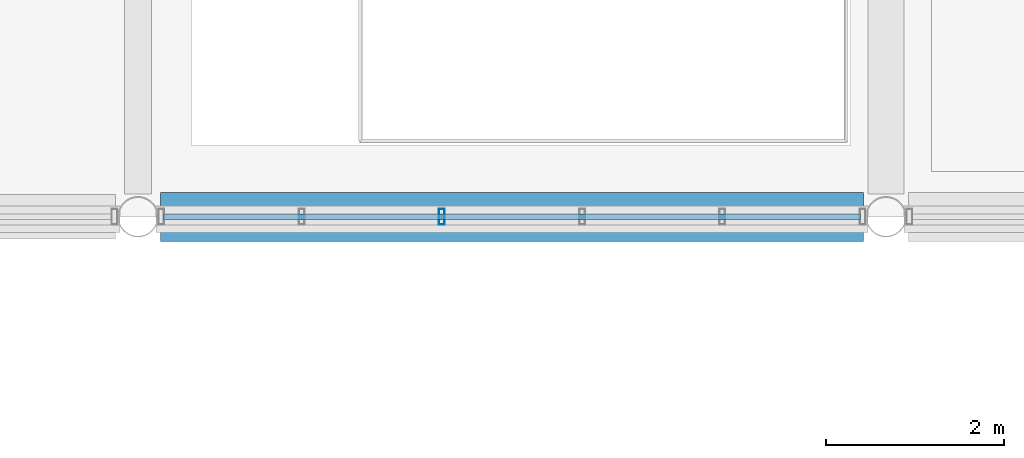
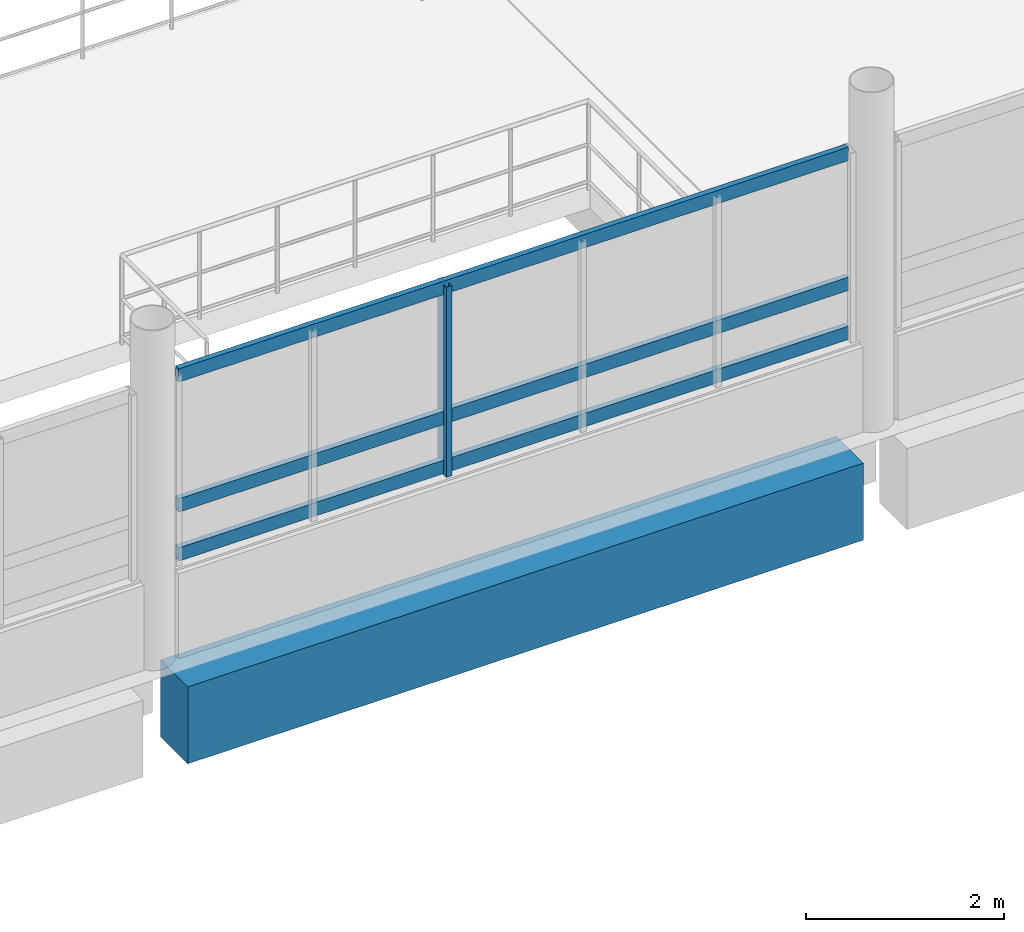
# One storey, part 50 of 101: 4 members, 1 beam, 1 element without a shape of its own.
"""IFC4 building model written with IfcOpenShell, lengths in metres."""

import ifcopenshell
import ifcopenshell.guid

model = None  # the IFC model being written
_history = None  # IfcOwnerHistory: only IFC2X3 demands one
_inside = {}  # id of a spatial element -> (the spatial element, [elements in it])
_under = {}  # id of a project, library or spatial element -> (it, [spatial elements below it])
_declared = {}  # id of a project -> (the project, [libraries it declares])
_typed = {}  # id of a type object -> (the type object, [elements of that type])
_made_of = {}  # id of a material, layer set ... -> (it, [elements and type objects made of it])


def new_model(schema):
    """Start an empty IFC model of exactly this schema.

    Asked for "IFC4X3", IfcOpenShell would pick the latest addendum, in which some entities
    have other attributes; the version numbers below select the first issue.
    IFC2X3 requires an IfcOwnerHistory on every rooted entity: one is made here for all.
    """
    global model, _history
    if schema == "IFC4X3":
        model = ifcopenshell.file(schema_version=(4, 3, 0, 0))
    else:
        model = ifcopenshell.file(schema=schema)
    _inside.clear()
    _under.clear()
    _declared.clear()
    _typed.clear()
    _made_of.clear()
    _history = None
    if model.schema == "IFC2X3":
        org = make("IfcOrganization", Name="unknown")
        user = make(
            "IfcPersonAndOrganization",
            ThePerson=make("IfcPerson", FamilyName="unknown"),
            TheOrganization=org,
        )
        app = make(
            "IfcApplication",
            ApplicationDeveloper=org,
            Version="unknown",
            ApplicationFullName="unknown",
            ApplicationIdentifier="unknown",
        )
        _history = make(
            "IfcOwnerHistory",
            OwningUser=user,
            OwningApplication=app,
            ChangeAction="ADDED",
            CreationDate=0,
        )
    return model


def make(cls, **values):
    """One entity of the class cls with the attributes given. An attribute that is None is left unset."""
    return model.create_entity(
        cls, **{name: value for name, value in values.items() if value is not None}
    )


def rooted(cls, **values):
    """An entity with a GlobalId (a new one), such as an element, a storey or a relation."""
    return make(cls, GlobalId=ifcopenshell.guid.new(), OwnerHistory=_history, **values)


def si_unit(unit_type, name, prefix=None):
    """IfcSIUnit, for example si_unit("LENGTHUNIT", "METRE", prefix="MILLI")."""
    return make("IfcSIUnit", UnitType=unit_type, Prefix=prefix, Name=name)


def assignment(units):
    """IfcUnitAssignment: the units of a project."""
    return None if units is None else make("IfcUnitAssignment", Units=units)


def point(xyz):
    """IfcCartesianPoint."""
    return None if xyz is None else make("IfcCartesianPoint", Coordinates=xyz)


def direction(xyz):
    """IfcDirection."""
    return None if xyz is None else make("IfcDirection", DirectionRatios=xyz)


def frame(location, z_axis=None, x_axis=None):
    """IfcAxis2Placement3D, a coordinate frame: its origin and axes. An axis left out is left unset."""
    return make(
        "IfcAxis2Placement3D",
        Location=point(location),
        Axis=direction(z_axis),
        RefDirection=direction(x_axis),
    )


def frame_2d(location, x_axis=None):
    """IfcAxis2Placement2D, a coordinate frame in the plane: its origin and x axis."""
    return make(
        "IfcAxis2Placement2D", Location=point(location), RefDirection=direction(x_axis)
    )


def origin():
    """The frame at (0, 0, 0) with its axes left unset."""
    return frame((0.0, 0.0, 0.0))


def origin_2d():
    """The frame at (0, 0) in the plane with its x axis left unset."""
    return frame_2d((0.0, 0.0))


def place(relative_to, where):
    """IfcLocalPlacement: puts the frame where relative to a parent placement (None: the world)."""
    return make(
        "IfcLocalPlacement", PlacementRelTo=relative_to, RelativePlacement=where
    )


def context(
    kind, dimensions, precision=None, world=None, true_north=None, identifier=None
):
    """IfcGeometricRepresentationContext, for example the 3D "Model" context."""
    return make(
        "IfcGeometricRepresentationContext",
        ContextIdentifier=identifier,
        ContextType=kind,
        CoordinateSpaceDimension=dimensions,
        Precision=precision,
        WorldCoordinateSystem=world,
        TrueNorth=true_north,
    )


def subcontext(parent, identifier, kind, view, scale=None):
    """IfcGeometricRepresentationSubContext, for example "Body" below "Model"."""
    return make(
        "IfcGeometricRepresentationSubContext",
        ContextIdentifier=identifier,
        ContextType=kind,
        ParentContext=parent,
        TargetScale=scale,
        TargetView=view,
    )


def project(units=None, contexts=None):
    """IfcProject with its units and contexts."""
    return rooted(
        "IfcProject",
        Name="project",
        RepresentationContexts=contexts,
        UnitsInContext=assignment(units),
    )


def spatial(cls, under=None, at=None, **own):
    """A site, building, storey or space (cls), placed at a placement, below another one or the project."""
    s = rooted(cls, ObjectPlacement=at, **own)
    if under is not None:
        _under.setdefault(under.id(), (under, []))[1].append(s)
    return s


def profile(cls, at=None, kind="AREA", **sizes):
    """A parametric profile (cls). Its sizes go by their IFC names, for example OverallWidth=200.0."""
    return make(cls, ProfileType=kind, Position=at, **sizes)


def rectangle(**sizes):
    """IfcRectangleProfileDef."""
    return profile("IfcRectangleProfileDef", **sizes)


def hollow_rectangle(**sizes):
    """IfcRectangleHollowProfileDef."""
    return profile("IfcRectangleHollowProfileDef", **sizes)


def extrude(swept, where, along, depth):
    """IfcExtrudedAreaSolid: the profile swept, set in the frame where, extruded along a direction by depth."""
    return make(
        "IfcExtrudedAreaSolid",
        SweptArea=swept,
        Position=where,
        ExtrudedDirection=direction(along),
        Depth=depth,
    )


def shape(context_of_items, identifier, shape_type, items):
    """IfcShapeRepresentation: the items that make up one representation, for example the "Body"."""
    return make(
        "IfcShapeRepresentation",
        ContextOfItems=context_of_items,
        RepresentationIdentifier=identifier,
        RepresentationType=shape_type,
        Items=items,
    )


def material(Name=None, Category=None):
    """IfcMaterial."""
    return make("IfcMaterial", Name=Name, Category=Category)


def layer(
    of_material, thickness, ventilated=None, Name=None, Category=None, Priority=None
):
    """IfcMaterialLayer: one layer of a wall or slab, of a material (None: an air gap)."""
    return make(
        "IfcMaterialLayer",
        Material=of_material,
        LayerThickness=thickness,
        IsVentilated=ventilated,
        Name=Name,
        Category=Category,
        Priority=Priority,
    )


def layer_set(layers, Name=None):
    """IfcMaterialLayerSet."""
    return make("IfcMaterialLayerSet", MaterialLayers=layers, LayerSetName=Name)


def material_profile(
    of_material, cross_section, Name=None, Category=None, Priority=None
):
    """IfcMaterialProfile: a cross section and its material."""
    return make(
        "IfcMaterialProfile",
        Name=Name,
        Material=of_material,
        Profile=cross_section,
        Priority=Priority,
        Category=Category,
    )


def profile_set(profiles, Name=None, composite=None):
    """IfcMaterialProfileSet."""
    return make(
        "IfcMaterialProfileSet",
        Name=Name,
        MaterialProfiles=profiles,
        CompositeProfile=composite,
    )


def made_of(thing, what):
    """Note that an element or type object is made of a material, layer set ...; save() writes the relation."""
    if what is not None:
        _made_of.setdefault(what.id(), (what, []))[1].append(thing)
    return thing


def type_object(cls, material=None, **own):
    """A type object (cls), such as IfcWallType, which elements share."""
    return made_of(rooted(cls, **own), material)


def element(
    cls,
    number,
    at=None,
    inside=None,
    cuts=None,
    type_object=None,
    material=None,
    context=None,
    identifier="Body",
    shape_type=None,
    held_by="IfcProductDefinitionShape",
    body=None,
    shapes=None,
    **own,
):
    """One element of the class cls, such as IfcWall. Its Tag is "e" and its number.

    at: its placement. inside: the storey or other place that contains it. cuts: it is an
    opening in that element (IfcRelVoidsElement). A single representation is given by context,
    identifier, shape_type and body (its items); several are given by shapes. held_by: the class
    of the entity that holds the representations. save() writes the other relations.
    """
    e = rooted(cls, Tag="e%d" % number, ObjectPlacement=at, **own)
    if body is not None:
        shapes = [shape(context, identifier, shape_type, body)]
    if shapes is not None:
        e.Representation = make(held_by, Representations=shapes)
    if inside is not None:
        _inside.setdefault(inside.id(), (inside, []))[1].append(e)
    if cuts is not None:
        rooted(
            "IfcRelVoidsElement", RelatingBuildingElement=cuts, RelatedOpeningElement=e
        )
    if type_object is not None:
        _typed.setdefault(type_object.id(), (type_object, []))[1].append(e)
    return made_of(e, material)


def aggregate(whole, parts):
    """IfcRelAggregates: a whole, such as a stair, and the parts it consists of."""
    return rooted("IfcRelAggregates", RelatingObject=whole, RelatedObjects=parts)


def save(model, path):
    """Write the relations noted so far, then the file.

    IfcRelAggregates (storeys below a building ...), IfcRelContainedInSpatialStructure (elements
    in a storey), IfcRelDefinesByType, IfcRelAssociatesMaterial and IfcRelDeclares: one each for
    every whole, place, type object, material and project.
    """
    for whole, parts in _under.values():
        aggregate(whole, parts)
    for where, things in _inside.values():
        rooted(
            "IfcRelContainedInSpatialStructure",
            RelatedElements=things,
            RelatingStructure=where,
        )
    for kind, things in _typed.values():
        rooted("IfcRelDefinesByType", RelatedObjects=things, RelatingType=kind)
    for what, things in _made_of.values():
        rooted("IfcRelAssociatesMaterial", RelatedObjects=things, RelatingMaterial=what)
    for by, libraries in _declared.values():
        rooted("IfcRelDeclares", RelatingContext=by, RelatedDefinitions=libraries)
    model.write(path)


model = new_model("IFC4")

# Units and contexts
model_context = context("Model", 3, precision=1e-05, world=origin(), true_north=direction((0.0, 1.0)))
body_context = subcontext(model_context, "Body", "Model", "MODEL_VIEW")
ifc_project = project(units=[si_unit("LENGTHUNIT", "METRE"), si_unit("AREAUNIT", "SQUARE_METRE"), si_unit("VOLUMEUNIT", "CUBIC_METRE"), si_unit("PLANEANGLEUNIT", "RADIAN"), si_unit("MASSUNIT", "GRAM", prefix="KILO")], contexts=[model_context])

# Site, building, storey
site_placement = place(None, origin())
site = spatial("IfcSite", under=ifc_project, at=site_placement, CompositionType="ELEMENT")
building_placement = place(site_placement, origin())
building = spatial("IfcBuilding", under=site, at=building_placement, Name="Vireocrest Preparatory School", CompositionType="ELEMENT")
storey_placement = place(building_placement, frame((0.0, 0.0, 4.800048828125)))
storey = spatial("IfcBuildingStorey", under=building, at=storey_placement, Name="L01", CompositionType="ELEMENT", Elevation=4.800048828125)

# Curtain wall, members
ifc_material_1 = material(Name="Thermally broken aluminium EN AW-6063-T6", Category="aluminium")
ifc_layer = layer(ifc_material_1, 0.179931640625)
ifc_layer_set = layer_set([ifc_layer], Name="Thermally broken aluminium EN AW-6063-T6")
curtain_wall_type = type_object("IfcCurtainWallType", Name="Court Banded Curtain Wall 8400x3600", PredefinedType="USERDEFINED", material=ifc_layer_set)
curtain_wall_placement = place(storey_placement, origin())
curtain_wall = element("IfcCurtainWall", 1, at=curtain_wall_placement, inside=storey, type_object=curtain_wall_type, Name="Curtain Wall CW01 CW_L01_CW01_0758_0858_059", ObjectType="CURTAIN WALL", PredefinedType="USERDEFINED")
ifc_material_profile_1 = material_profile(ifc_material_1, hollow_rectangle(XDim=0.06494140625, YDim=0.179931640625, WallThickness=0.00390625, at=origin_2d()), Name="ALU 65x180x4")
ifc_profile_set_1 = profile_set([ifc_material_profile_1], Name="Thermally broken aluminium EN AW-6063-T6")
member_type_1 = type_object("IfcMemberType", Name="CW Mullion 65x180x4", PredefinedType="MULLION", material=ifc_profile_set_1)
member_1_placement = place(storey_placement, frame((79.0126953125, 85.800048828125, 1.099853515625), z_axis=(0.0, 0.0, 1.0), x_axis=(1.0, 0.0, 0.0)))
member_1 = element("IfcMember", 2, at=member_1_placement, type_object=member_type_1, Name="CW Mullion ML2 CW_L01_CW01_0758_0858_059-3", PredefinedType="MULLION", context=body_context, shape_type="SweptSolid", body=[
    extrude(hollow_rectangle(XDim=0.06494140625, YDim=0.179931640625, WallThickness=0.00390625, at=origin_2d()), origin(), (0.0, 0.0, 1.0), 2.34521484375),
])
ifc_material_profile_2 = material_profile(ifc_material_1, hollow_rectangle(XDim=0.06494140625, YDim=0.1650390625, WallThickness=0.00390625, at=origin_2d()), Name="ALU 65x165x4")
ifc_profile_set_2 = profile_set([ifc_material_profile_2], Name="Thermally broken aluminium EN AW-6063-T6")
member_type_2 = type_object("IfcMemberType", Name="CW Transom 65x165x4", PredefinedType="USERDEFINED", material=ifc_profile_set_2)
member_2_placement = place(storey_placement, frame((75.888671875, 85.800048828125, 1.195068359375), z_axis=(1.0, 0.0, 0.0), x_axis=(0.0, 1.0, 0.0)))
member_2 = element("IfcMember", 3, at=member_2_placement, type_object=member_type_2, Name="CW Transom TR2 CW_L01_CW01_0758_0858_059-1", ObjectType="TRANSOM", PredefinedType="USERDEFINED", context=body_context, shape_type="SweptSolid", body=[
    extrude(hollow_rectangle(XDim=0.06494140625, YDim=0.1650390625, WallThickness=0.00390625, at=origin_2d()), origin(), (0.0, 0.0, 1.0), 7.82275390625),
])
member_3_placement = place(storey_placement, frame((75.888671875, 85.800048828125, 1.800048828125), z_axis=(1.0, 0.0, 0.0), x_axis=(0.0, 1.0, 0.0)))
member_3 = element("IfcMember", 4, at=member_3_placement, type_object=member_type_2, Name="CW Transom TR2 CW_L01_CW01_0758_0858_059-2", ObjectType="TRANSOM", PredefinedType="USERDEFINED", context=body_context, shape_type="SweptSolid", body=[
    extrude(hollow_rectangle(XDim=0.06494140625, YDim=0.1650390625, WallThickness=0.00390625, at=origin_2d()), origin(), (0.0, 0.0, 1.0), 7.82275390625),
])
member_4_placement = place(storey_placement, frame((75.888671875, 85.800048828125, 3.405029296875), z_axis=(1.0, 0.0, 0.0), x_axis=(0.0, 1.0, 0.0)))
member_4 = element("IfcMember", 5, at=member_4_placement, type_object=member_type_2, Name="CW Transom TR2 CW_L01_CW01_0758_0858_059-3", ObjectType="TRANSOM", PredefinedType="USERDEFINED", context=body_context, shape_type="SweptSolid", body=[
    extrude(hollow_rectangle(XDim=0.06494140625, YDim=0.1650390625, WallThickness=0.00390625, at=origin_2d()), origin(), (0.0, 0.0, 1.0), 7.82275390625),
])
aggregate(curtain_wall, [member_1, member_2, member_3, member_4])

# Beam
ifc_material_2 = material(Name="Concrete 40 MPa", Category="concrete")
ifc_material_profile_3 = material_profile(ifc_material_2, rectangle(XDim=0.550048828125, YDim=0.949951171875, at=origin_2d()), Name="RC 550x950")
ifc_profile_set_3 = profile_set([ifc_material_profile_3], Name="Concrete 40 MPa")
beam_type = type_object("IfcBeamType", Name="RC Setback Edge Girder 550x950", PredefinedType="BEAM", material=ifc_profile_set_3)
beam_placement = place(storey_placement, frame((75.85400390625, 85.800048828125, -0.755126953125), z_axis=(1.0, 0.0, 0.0), x_axis=(0.0, 1.0, 0.0)))
element("IfcBeam", 6, at=beam_placement, inside=storey, type_object=beam_type, Name="Primary Girder B17 L01-0339", PredefinedType="BEAM", context=body_context, shape_type="SweptSolid", body=[
    extrude(rectangle(XDim=0.550048828125, YDim=0.949951171875, at=origin_2d()), origin(), (0.0, 0.0, 1.0), 7.89208984375),
])

save(model, "model.ifc")
